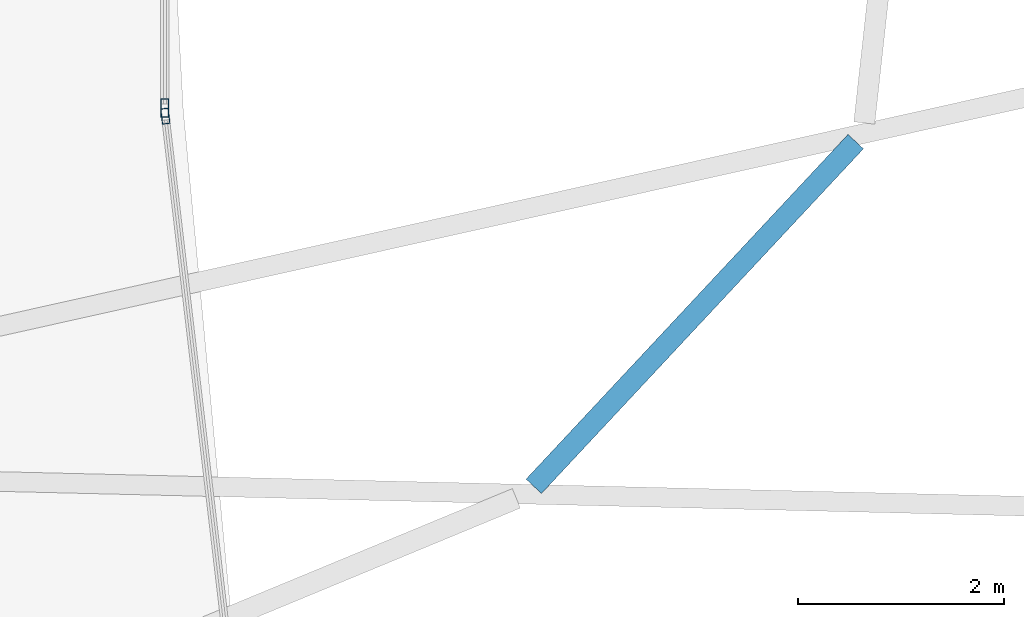
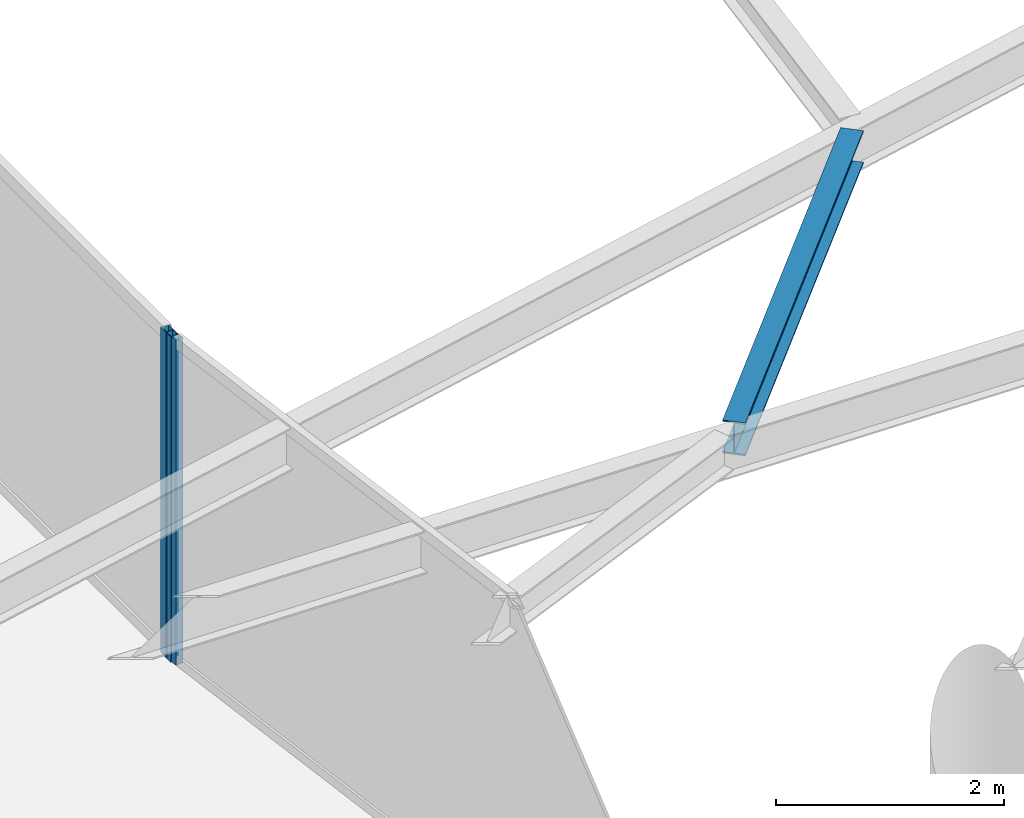
# One storey, part 11 of 22: 2 members, 1 beam, 2 elements without a shape of their own.
"""IFC4 building model written with IfcOpenShell, lengths in metres."""

from ifc_helpers import new_model, si_unit, direction, frame, origin, origin_2d, place, context, subcontext, project, spatial, hollow_rectangle, i_section, extrude, material, layer, layer_set, material_profile, profile_set, type_object, element, aggregate, save


model = new_model("IFC4")

# Units and contexts
model_context = context("Model", 3, precision=1e-05, world=origin(), true_north=direction((0.0, 1.0)))
body_context = subcontext(model_context, "Body", "Model", "MODEL_VIEW")
ifc_project = project(units=[si_unit("LENGTHUNIT", "METRE"), si_unit("AREAUNIT", "SQUARE_METRE"), si_unit("VOLUMEUNIT", "CUBIC_METRE"), si_unit("PLANEANGLEUNIT", "RADIAN"), si_unit("MASSUNIT", "GRAM", prefix="KILO")], contexts=[model_context])

# Site, building, storey
site_placement = place(None, origin())
site = spatial("IfcSite", under=ifc_project, at=site_placement, CompositionType="ELEMENT")
building_placement = place(site_placement, origin())
building = spatial("IfcBuilding", under=site, at=building_placement, Name="Kazevale Care Tower and Concert Hall", CompositionType="ELEMENT")
storey_placement = place(building_placement, frame((0.0, 0.0, 277.60009765625)))
storey = spatial("IfcBuildingStorey", under=building, at=storey_placement, Name="L73", CompositionType="ELEMENT", Elevation=277.60009765625)

# Curtain wall, member
ifc_material_1 = material(Name="Aluminium 6063-T6 and Low-E Glass", Category="aluminium")
ifc_layer_1 = layer(ifc_material_1, 0.179931640625)
ifc_layer_set_1 = layer_set([ifc_layer_1], Name="Aluminium 6063-T6 and Low-E Glass")
curtain_wall_type_1 = type_object("IfcCurtainWallType", Name="Waist & Upper Residential Curtain Wall CW-4", PredefinedType="NOTDEFINED", material=ifc_layer_set_1)
curtain_wall_1_placement = place(storey_placement, origin())
curtain_wall_1 = element("IfcCurtainWall", 1, at=curtain_wall_1_placement, inside=storey, type_object=curtain_wall_type_1, Name="cw:L73:f14", PredefinedType="NOTDEFINED")
ifc_material_2 = material(Name="Aluminium 6063-T6", Category="aluminium")
ifc_material_profile_1 = material_profile(ifc_material_2, hollow_rectangle(XDim=0.080078125, YDim=0.179931640625, WallThickness=0.0048828125, at=origin_2d()), Name="ALU80x180x5")
ifc_profile_set_1 = profile_set([ifc_material_profile_1], Name="Aluminium 6063-T6")
member_type_1 = type_object("IfcMemberType", Name="CW-4 Mullion ALU80x180x5", PredefinedType="MULLION", material=ifc_profile_set_1)
member_1_placement = place(storey_placement, frame((51.7119140625, 27.08203125, 0.0), z_axis=(0.0, 0.0, 1.0), x_axis=(1.0, 0.0, 0.0)))
member_1 = element("IfcMember", 2, at=member_1_placement, type_object=member_type_1, Name="CW-4 mullion 2", PredefinedType="MULLION", context=body_context, shape_type="SweptSolid", body=[
    extrude(hollow_rectangle(XDim=0.080078125, YDim=0.179931640625, WallThickness=0.0048828125, at=origin_2d()), origin(), (0.0, 0.0, 1.0), 3.47998046875),
])
aggregate(curtain_wall_1, [member_1])

ifc_layer_2 = layer(ifc_material_1, 0.179931640625)
ifc_layer_set_2 = layer_set([ifc_layer_2], Name="Aluminium 6063-T6 and Low-E Glass")
curtain_wall_type_2 = type_object("IfcCurtainWallType", Name="Sheltered Concave Balcony Curtain Wall CW-5", PredefinedType="NOTDEFINED", material=ifc_layer_set_2)
curtain_wall_2_placement = place(storey_placement, origin())
curtain_wall_2 = element("IfcCurtainWall", 3, at=curtain_wall_2_placement, inside=storey, type_object=curtain_wall_type_2, Name="cw:L73:f15", PredefinedType="NOTDEFINED")
ifc_material_profile_2 = material_profile(ifc_material_2, hollow_rectangle(XDim=0.074951171875, YDim=0.14990234375, WallThickness=0.00390625, at=origin_2d()), Name="ALU75x150x4")
ifc_profile_set_2 = profile_set([ifc_material_profile_2], Name="Aluminium 6063-T6")
member_type_2 = type_object("IfcMemberType", Name="CW-5 Mullion ALU75x150x4", PredefinedType="MULLION", material=ifc_profile_set_2)
member_2_placement = place(storey_placement, frame((51.71630859375, 27.004638671875, 0.0), z_axis=(0.0, 0.0, 1.0), x_axis=(0.993190623592, 0.116500580295, 0.0)))
member_2 = element("IfcMember", 4, at=member_2_placement, type_object=member_type_2, Name="CW-5 mullion 1", PredefinedType="MULLION", context=body_context, shape_type="SweptSolid", body=[
    extrude(hollow_rectangle(XDim=0.074951171875, YDim=0.14990234375, WallThickness=0.00390625, at=origin_2d()), origin(), (0.0, 0.0, 1.0), 3.47998046875),
])
aggregate(curtain_wall_2, [member_2])

# Beam
ifc_material_3 = material(Name="Steel ASTM A572 Gr 50", Category="steel")
ifc_material_profile_3 = material_profile(ifc_material_3, i_section(OverallWidth=0.205078125, OverallDepth=0.35400390625, WebThickness=0.009521484375, FlangeThickness=0.016845703125, at=origin_2d()), Name="W360x79")
ifc_profile_set_3 = profile_set([ifc_material_profile_3], Name="Steel ASTM A572 Gr 50")
beam_type = type_object("IfcBeamType", Name="Secondary Floor Joist W360x79", PredefinedType="JOIST", material=ifc_profile_set_3)
beam_placement = place(storey_placement, frame((55.297119140625, 23.406982421875, 3.302978515625), z_axis=(0.682568692562, 0.730821441896, 0.0), x_axis=(-0.730821441896, 0.682568692562, 0.0)))
element("IfcBeam", 5, at=beam_placement, inside=storey, type_object=beam_type, Name="beam:L73:joist:15", PredefinedType="JOIST", context=body_context, shape_type="SweptSolid", body=[
    extrude(i_section(OverallWidth=0.205078125, OverallDepth=0.35400390625, WebThickness=0.009521484375, FlangeThickness=0.016845703125, at=origin_2d()), origin(), (0.0, 0.0, 1.0), 4.583984375),
])

save(model, "model.ifc")
